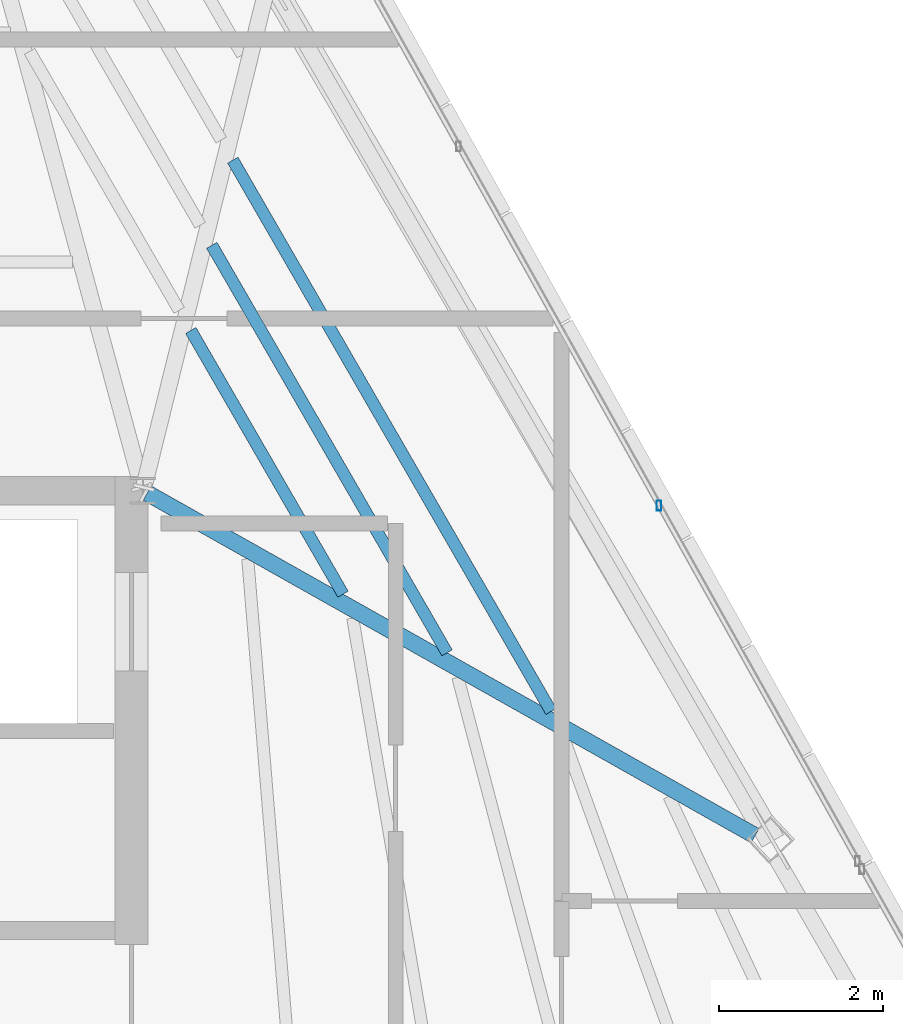
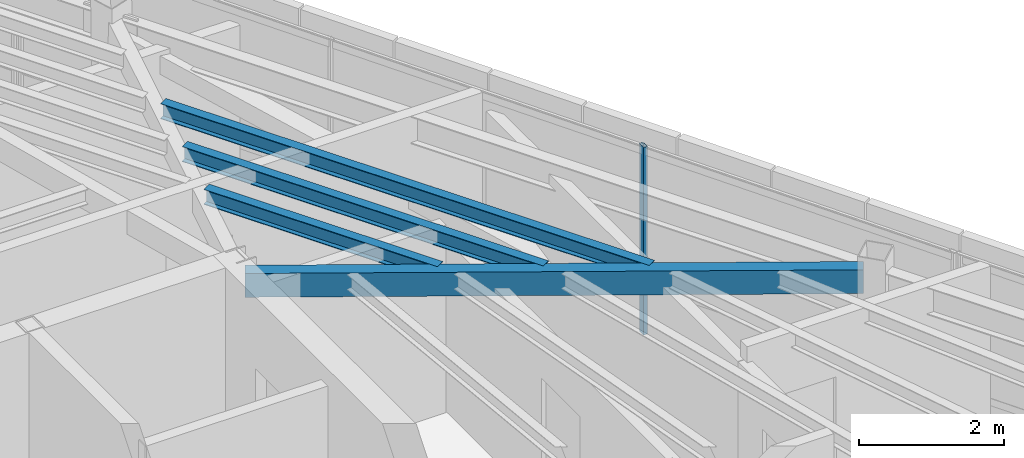
# One storey, part 28 of 44: 4 beams, 1 member, 1 element without a shape of its own.
"""IFC4 building model written with IfcOpenShell, lengths in metres."""

from ifc_helpers import new_model, si_unit, direction, frame, origin, origin_2d, place, context, subcontext, project, spatial, hollow_rectangle, i_section, extrude, source, transform, mapped, material, material_profile, profile_set, type_object, type_shapes, element, aggregate, save


model = new_model("IFC4")

# Units and contexts
model_context = context("Model", 3, precision=1e-05, world=origin(), true_north=direction((0.0, 1.0)))
body_context = subcontext(model_context, "Body", "Model", "MODEL_VIEW")
ifc_project = project(units=[si_unit("LENGTHUNIT", "METRE"), si_unit("AREAUNIT", "SQUARE_METRE"), si_unit("VOLUMEUNIT", "CUBIC_METRE"), si_unit("PLANEANGLEUNIT", "RADIAN"), si_unit("MASSUNIT", "GRAM", prefix="KILO")], contexts=[model_context])

# Site, building, storey
site_placement = place(None, origin())
site = spatial("IfcSite", under=ifc_project, at=site_placement, CompositionType="ELEMENT")
building_placement = place(site_placement, origin())
building = spatial("IfcBuilding", under=site, at=building_placement, Name="Caelisora Broadcast Tower", CompositionType="ELEMENT")
storey_placement = place(building_placement, frame((0.0, 0.0, 289.800048828125)))
storey = spatial("IfcBuildingStorey", under=building, at=storey_placement, Name="L76", CompositionType="ELEMENT", Elevation=289.800048828125)

# Beams
ifc_material_1 = material(Name="Steel Grade 350 (AS/NZS 1163 C350L0)", Category="steel")
ifc_material_profile_1 = material_profile(ifc_material_1, hollow_rectangle(XDim=0.199951171875, YDim=0.39990234375, WallThickness=0.012451171875, at=origin_2d()), Name="Steel Grade 350 (AS/NZS 1163 C350L0)")
ifc_profile_set_1 = profile_set([ifc_material_profile_1], Name="Steel Grade 350 (AS/NZS 1163 C350L0)")
beam_type_1 = type_object("IfcBeamType", Name="PG07", PredefinedType="BEAM", material=ifc_profile_set_1)
shared_shape_1 = source(origin(), body_context, "Body", "SweptSolid", [
    extrude(hollow_rectangle(XDim=0.199951171875, YDim=0.39990234375, WallThickness=0.012451171875, at=origin_2d()), origin(), (0.0, 0.0, 1.0), 8.50341796875),
])
type_shapes(beam_type_1, [shared_shape_1])
beam_1_placement = place(storey_placement, frame((45.55224609375, 29.970458984375, 2.949951171875), z_axis=(0.871169625249, -0.490982162653, 0.0), x_axis=(0.490982162653, 0.871169625249, 0.0)))
element("IfcBeam", 1, at=beam_1_placement, inside=storey, type_object=beam_type_1, Name="L76 beam PG07", PredefinedType="BEAM", context=body_context, shape_type="MappedRepresentation", body=[
    mapped(shared_shape_1, transform((0.0, 0.0, 0.0), scale=1.0)),
])
ifc_material_2 = material(Name="Steel Grade 350 (AS/NZS 3679.1)", Category="steel")
ifc_material_profile_2 = material_profile(ifc_material_2, i_section(OverallWidth=0.14599609375, OverallDepth=0.256103515625, WebThickness=0.00634765625, FlangeThickness=0.010986328125, at=origin_2d()), Name="Steel Grade 350 (AS/NZS 3679.1)")
ifc_profile_set_2 = profile_set([ifc_material_profile_2], Name="Steel Grade 350 (AS/NZS 3679.1)")
beam_type_2 = type_object("IfcBeamType", Name="SB04", PredefinedType="JOIST", material=ifc_profile_set_2)
shared_shape_2 = source(origin(), body_context, "Body", "SweptSolid", [
    extrude(i_section(OverallWidth=0.14599609375, OverallDepth=0.256103515625, WebThickness=0.00634765625, FlangeThickness=0.010986328125, at=origin_2d()), origin(), (0.0, 0.0, 1.0), 3.711669921875),
])
beam_2_placement = place(storey_placement, frame((47.938720703125, 28.738525390625, 3.02197265625), z_axis=(-0.499980579953, 0.866036615664, 0.0), x_axis=(-0.866036615664, -0.499980579953, 0.0)))
element("IfcBeam", 2, at=beam_2_placement, inside=storey, type_object=beam_type_2, Name="L76 beam SB04", PredefinedType="JOIST", context=body_context, shape_type="MappedRepresentation", body=[
    mapped(shared_shape_2, transform((0.0, 0.0, 0.0), scale=1.0)),
])
shared_shape_3 = source(origin(), body_context, "Body", "SweptSolid", [
    extrude(i_section(OverallWidth=0.14599609375, OverallDepth=0.256103515625, WebThickness=0.00634765625, FlangeThickness=0.010986328125, at=origin_2d()), origin(), (0.0, 0.0, 1.0), 5.73486328125),
])
beam_3_placement = place(storey_placement, frame((49.20654296875, 28.024169921875, 3.02197265625), z_axis=(-0.499998833779, 0.866026077102, 0.0), x_axis=(-0.866026077102, -0.499998833779, 0.0)))
element("IfcBeam", 3, at=beam_3_placement, inside=storey, type_object=beam_type_2, Name="L76 beam SB04", PredefinedType="JOIST", context=body_context, shape_type="MappedRepresentation", body=[
    mapped(shared_shape_3, transform((0.0, 0.0, 0.0), scale=1.0)),
])
shared_shape_4 = source(origin(), body_context, "Body", "SweptSolid", [
    extrude(i_section(OverallWidth=0.14599609375, OverallDepth=0.256103515625, WebThickness=0.00634765625, FlangeThickness=0.010986328125, at=origin_2d()), origin(), (0.0, 0.0, 1.0), 7.75830078125),
])
type_shapes(beam_type_2, [shared_shape_2, shared_shape_3, shared_shape_4])
beam_4_placement = place(storey_placement, frame((50.474365234375, 27.3095703125, 3.02197265625), z_axis=(-0.50000756646, 0.866021035243, 0.0), x_axis=(-0.866021035243, -0.50000756646, 0.0)))
element("IfcBeam", 4, at=beam_4_placement, inside=storey, type_object=beam_type_2, Name="L76 beam SB04", PredefinedType="JOIST", context=body_context, shape_type="MappedRepresentation", body=[
    mapped(shared_shape_4, transform((0.0, 0.0, 0.0), scale=1.0)),
])

# Curtain wall, member
ifc_material_3 = material(Name="Unitised Aluminium Insulated Shadow-Box Spandrel Curtain Wall", Category="aluminium")
curtain_wall_type = type_object("IfcCurtainWallType", Name="CW-SP3", PredefinedType="NOTDEFINED", material=ifc_material_3)
curtain_wall_placement = place(storey_placement, origin())
curtain_wall = element("IfcCurtainWall", 5, at=curtain_wall_placement, inside=storey, type_object=curtain_wall_type, Name="L76 curtain wall CW-SP3", PredefinedType="NOTDEFINED")
ifc_material_4 = material(Name="Aluminium 6063-T6 Anodised Terracotta Bronze", Category="aluminium")
ifc_material_profile_3 = material_profile(ifc_material_4, hollow_rectangle(XDim=0.06005859375, YDim=0.1201171875, WallThickness=0.0029296875, at=origin_2d()), Name="Aluminium 6063-T6 Anodised Terracotta Bronze")
ifc_profile_set_3 = profile_set([ifc_material_profile_3], Name="Aluminium 6063-T6 Anodised Terracotta Bronze")
member_type = type_object("IfcMemberType", Name="CWM-04", PredefinedType="MULLION", material=ifc_profile_set_3)
shared_shape_5 = source(origin(), body_context, "Body", "SweptSolid", [
    extrude(hollow_rectangle(XDim=0.06005859375, YDim=0.1201171875, WallThickness=0.0029296875, at=origin_2d()), origin(), (0.0, 0.0, 1.0), 3.14990234375),
])
type_shapes(member_type, [shared_shape_5])
member_placement = place(storey_placement, frame((51.789306640625, 29.817626953125, 0.0), z_axis=(0.0, 0.0, 1.0), x_axis=(1.0, 0.0, 0.0)))
member = element("IfcMember", 6, at=member_placement, type_object=member_type, Name="L76-CW-B02 mullion #2", PredefinedType="MULLION", context=body_context, shape_type="MappedRepresentation", body=[
    mapped(shared_shape_5, transform((0.0, 0.0, 0.0), scale=1.0)),
])
aggregate(curtain_wall, [member])

save(model, "model.ifc")
